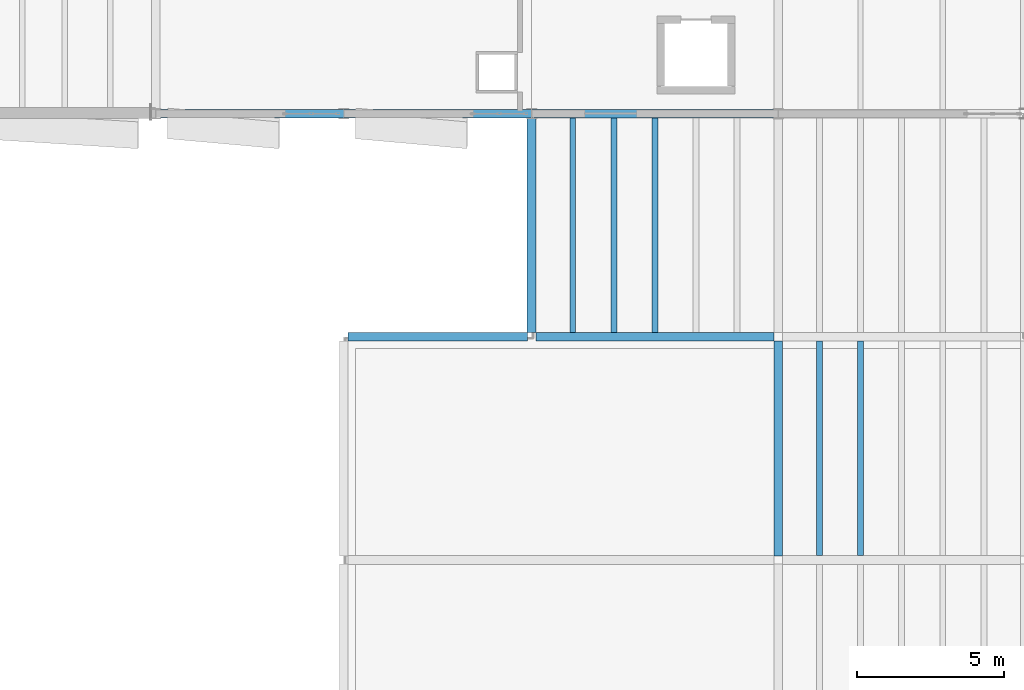
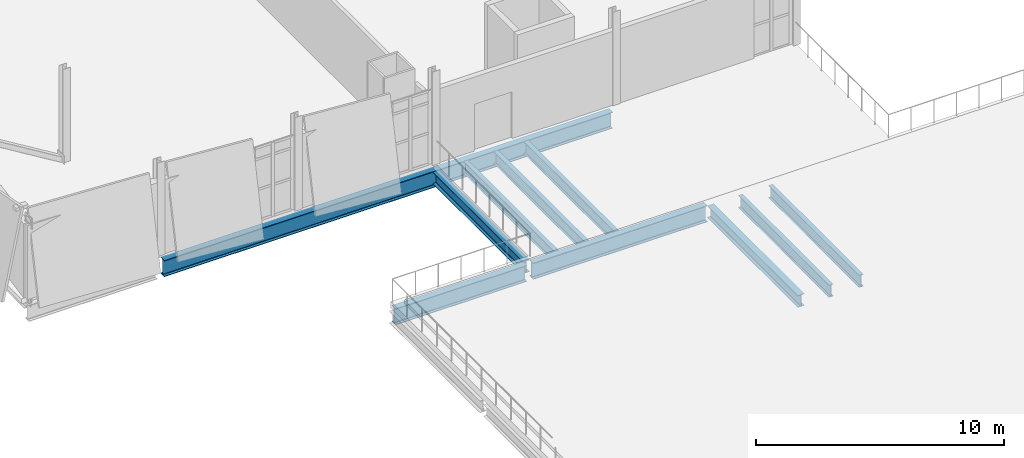
# One storey, part 5 of 74: 10 beams.
"""IFC4 building model written with IfcOpenShell, lengths in metres."""

from ifc_helpers import new_model, si_unit, direction, frame, origin, origin_2d, place, context, subcontext, project, spatial, i_section, extrude, material, material_profile, profile_set, type_object, element, save


model = new_model("IFC4")

# Units and contexts
model_context = context("Model", 3, precision=1e-05, world=origin(), true_north=direction((0.0, 1.0)))
body_context = subcontext(model_context, "Body", "Model", "MODEL_VIEW")
ifc_project = project(units=[si_unit("LENGTHUNIT", "METRE"), si_unit("AREAUNIT", "SQUARE_METRE"), si_unit("VOLUMEUNIT", "CUBIC_METRE"), si_unit("PLANEANGLEUNIT", "RADIAN"), si_unit("MASSUNIT", "GRAM", prefix="KILO")], contexts=[model_context])

# Site, building, storey
site_placement = place(None, origin())
site = spatial("IfcSite", under=ifc_project, at=site_placement, CompositionType="ELEMENT")
building_placement = place(site_placement, origin())
building = spatial("IfcBuilding", under=site, at=building_placement, Name="Shengluoqiao Park Theatre", CompositionType="ELEMENT")
storey_placement = place(building_placement, frame((0.0, 0.0, 14.60009765625)))
storey = spatial("IfcBuildingStorey", under=building, at=storey_placement, Name="L03", CompositionType="ELEMENT", Elevation=14.60009765625)

# Beams
ifc_material_1 = material(Name="Steel Q355", Category="steel")
ifc_material_profile_1 = material_profile(ifc_material_1, i_section(OverallWidth=0.300048828125, OverallDepth=0.587890625, WebThickness=0.011962890625, FlangeThickness=0.02001953125, FilletRadius=0.02392578125, at=origin_2d()), Name="HM 588x300x12x20")
ifc_profile_set_1 = profile_set([ifc_material_profile_1], Name="Steel Q355")
beam_type_1 = type_object("IfcBeamType", Name="STR-BM-G-HM588", PredefinedType="BEAM", material=ifc_profile_set_1)
beam_1_placement = place(storey_placement, frame((27.60009765625, 15.343994140625, -0.614013671875), z_axis=(0.0, 1.0, 0.0), x_axis=(-1.0, 0.0, 0.0)))
element("IfcBeam", 1, at=beam_1_placement, inside=storey, type_object=beam_type_1, Name="L03 Transverse Girder 01738", PredefinedType="BEAM", context=body_context, shape_type="SweptSolid", body=[
    extrude(i_section(OverallWidth=0.300048828125, OverallDepth=0.587890625, WebThickness=0.011962890625, FlangeThickness=0.02001953125, FilletRadius=0.02392578125, at=origin_2d()), origin(), (0.0, 0.0, 1.0), 7.31201171875),
])
beam_2_placement = place(storey_placement, frame((19.199951171875, 22.944091796875, -0.614013671875), z_axis=(0.0, 1.0, 0.0), x_axis=(-1.0, 0.0, 0.0)))
element("IfcBeam", 2, at=beam_2_placement, inside=storey, type_object=beam_type_1, Name="L03 Transverse Girder 01773", PredefinedType="BEAM", context=body_context, shape_type="SweptSolid", body=[
    extrude(i_section(OverallWidth=0.300048828125, OverallDepth=0.587890625, WebThickness=0.011962890625, FlangeThickness=0.02001953125, FilletRadius=0.02392578125, at=origin_2d()), origin(), (0.0, 0.0, 1.0), 7.289794921875),
])
ifc_material_2 = material(Name="Steel Q390", Category="steel")
ifc_material_profile_2 = material_profile(ifc_material_2, i_section(OverallWidth=0.300048828125, OverallDepth=0.800048828125, WebThickness=0.013916015625, FlangeThickness=0.02587890625, FilletRadius=0.02587890625, at=origin_2d()), Name="HN 800x300x14x26")
ifc_profile_set_2 = profile_set([ifc_material_profile_2], Name="Steel Q390")
beam_type_2 = type_object("IfcBeamType", Name="STR-BM-G-HN800", PredefinedType="BEAM", material=ifc_profile_set_2)
beam_3_placement = place(storey_placement, frame((6.56201171875, 30.39990234375, -0.72021484375), z_axis=(1.0, 0.0, 0.0), x_axis=(0.0, 1.0, 0.0)))
element("IfcBeam", 3, at=beam_3_placement, inside=storey, type_object=beam_type_2, Name="CT-V3-1 L03 Continuous Back-Span Chord", PredefinedType="BEAM", context=body_context, shape_type="SweptSolid", body=[
    extrude(i_section(OverallWidth=0.300048828125, OverallDepth=0.800048828125, WebThickness=0.013916015625, FlangeThickness=0.02587890625, FilletRadius=0.02587890625, at=origin_2d()), origin(), (0.0, 0.0, 1.0), 20.8759765625),
])
beam_4_placement = place(storey_placement, frame((12.944091796875, 22.800048828125, -0.72021484375), z_axis=(1.0, 0.0, 0.0), x_axis=(0.0, 1.0, 0.0)))
element("IfcBeam", 4, at=beam_4_placement, inside=storey, type_object=beam_type_2, Name="L03 Primary Girder 01729", PredefinedType="BEAM", context=body_context, shape_type="SweptSolid", body=[
    extrude(i_section(OverallWidth=0.300048828125, OverallDepth=0.800048828125, WebThickness=0.013916015625, FlangeThickness=0.02587890625, FilletRadius=0.02587890625, at=origin_2d()), origin(), (0.0, 0.0, 1.0), 6.11181640625),
])
beam_5_placement = place(storey_placement, frame((19.343994140625, 22.800048828125, -0.72021484375), z_axis=(1.0, 0.0, 0.0), x_axis=(0.0, 1.0, 0.0)))
element("IfcBeam", 5, at=beam_5_placement, inside=storey, type_object=beam_type_2, Name="L03 Primary Girder 01730", PredefinedType="BEAM", context=body_context, shape_type="SweptSolid", body=[
    extrude(i_section(OverallWidth=0.300048828125, OverallDepth=0.800048828125, WebThickness=0.013916015625, FlangeThickness=0.02587890625, FilletRadius=0.02587890625, at=origin_2d()), origin(), (0.0, 0.0, 1.0), 8.112060546875),
])
ifc_material_profile_3 = material_profile(ifc_material_1, i_section(OverallWidth=0.199951171875, OverallDepth=0.60009765625, WebThickness=0.010986328125, FlangeThickness=0.01708984375, FilletRadius=0.02001953125, at=origin_2d()), Name="HN 600x200x11x17")
ifc_profile_set_3 = profile_set([ifc_material_profile_3], Name="Steel Q355")
beam_type_3 = type_object("IfcBeamType", Name="STR-BM-J-HN600", PredefinedType="JOIST", material=ifc_profile_set_3)
for number, where, z_axis, x_axis, name in (
    (6, (29.0, 15.344970703125, -0.6201171875), (0.0, 1.0, 0.0), (-1.0, 0.0, 0.0), "L03 Composite Joist 01755"),
    (7, (30.39990234375, 15.344970703125, -0.6201171875), (0.0, 1.0, 0.0), (-1.0, 0.0, 0.0), "L03 Composite Joist 01756"),
):
    element("IfcBeam", number, at=place(storey_placement, frame(where, z_axis=z_axis, x_axis=x_axis)), inside=storey, type_object=beam_type_3, Name=name, PredefinedType="JOIST", context=body_context, shape_type="SweptSolid", body=[
        extrude(i_section(OverallWidth=0.199951171875, OverallDepth=0.60009765625, WebThickness=0.010986328125, FlangeThickness=0.01708984375, FilletRadius=0.02001953125, at=origin_2d()), origin(), (0.0, 0.0, 1.0), 7.31005859375),
    ])
for number, where, z_axis, x_axis, name in (
    (8, (20.60009765625, 22.945068359375, -0.6201171875), (0.0, 1.0, 0.0), (-1.0, 0.0, 0.0), "L03 Composite Joist 01776"),
    (9, (22.0, 22.945068359375, -0.6201171875), (0.0, 1.0, 0.0), (-1.0, 0.0, 0.0), "L03 Composite Joist 01777"),
    (10, (23.39990234375, 22.945068359375, -0.6201171875), (0.0, 1.0, 0.0), (-1.0, 0.0, 0.0), "L03 Composite Joist 01778"),
):
    element("IfcBeam", number, at=place(storey_placement, frame(where, z_axis=z_axis, x_axis=x_axis)), inside=storey, type_object=beam_type_3, Name=name, PredefinedType="JOIST", context=body_context, shape_type="SweptSolid", body=[
        extrude(i_section(OverallWidth=0.199951171875, OverallDepth=0.60009765625, WebThickness=0.010986328125, FlangeThickness=0.01708984375, FilletRadius=0.02001953125, at=origin_2d()), origin(), (0.0, 0.0, 1.0), 7.309814453125),
    ])

save(model, "model.ifc")
